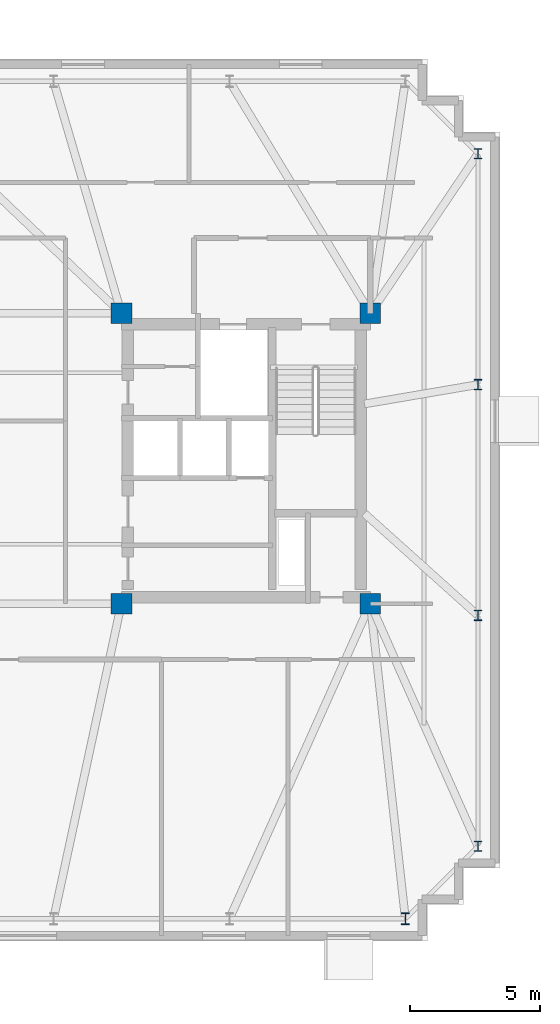
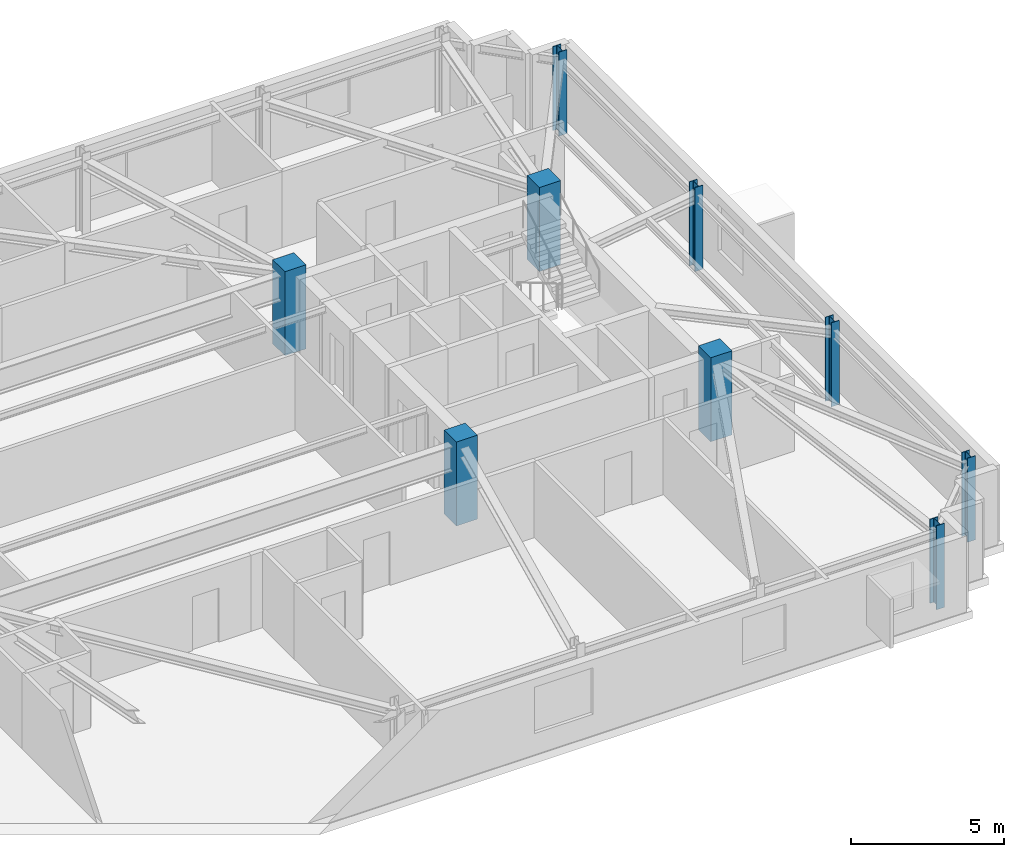
# One storey, part 2 of 11: 9 columns.
"""IFC4 building model written with IfcOpenShell, lengths in metres."""

from ifc_helpers import new_model, si_unit, direction, frame, origin, origin_2d, place, context, subcontext, project, spatial, rectangle, i_section, extrude, material, material_profile, profile_set, type_object, element, save


model = new_model("IFC4")

# Units and contexts
model_context = context("Model", 3, precision=1e-05, world=origin(), true_north=direction((0.0, 1.0)))
body_context = subcontext(model_context, "Body", "Model", "MODEL_VIEW")
ifc_project = project(units=[si_unit("LENGTHUNIT", "METRE"), si_unit("AREAUNIT", "SQUARE_METRE"), si_unit("VOLUMEUNIT", "CUBIC_METRE"), si_unit("PLANEANGLEUNIT", "RADIAN"), si_unit("MASSUNIT", "GRAM", prefix="KILO")], contexts=[model_context])

# Site, building, storey
site_placement = place(None, origin())
site = spatial("IfcSite", under=ifc_project, at=site_placement, CompositionType="ELEMENT")
building_placement = place(site_placement, origin())
building = spatial("IfcBuilding", under=site, at=building_placement, Name="Qobustan Lattice House", CompositionType="ELEMENT")
storey_placement = place(building_placement, frame((0.0, 0.0, 258.449951171875)))
storey = spatial("IfcBuildingStorey", under=building, at=storey_placement, Name="L73", CompositionType="ELEMENT", Elevation=258.449951171875)

# Columns
ifc_material_1 = material(Name="Concrete C50/60", Category="concrete")
ifc_material_profile_1 = material_profile(ifc_material_1, rectangle(XDim=0.800048828125, YDim=0.800048828125, at=origin_2d()), Name="RC800x800")
ifc_profile_set_1 = profile_set([ifc_material_profile_1], Name="Concrete C50/60")
column_type_1 = type_object("IfcColumnType", Name="COL-RC-800", PredefinedType="COLUMN", material=ifc_profile_set_1)
for number, where, z_axis, x_axis, name in (
    (1, (9.199951171875, -5.60009765625, 0.0), (0.0, 0.0, 1.0), (1.0, 0.0, 0.0), "L73 core mega-column CE-SW"),
    (2, (9.199951171875, 5.60009765625, 0.0), (0.0, 0.0, 1.0), (1.0, 0.0, 0.0), "L73 core mega-column CE-NW"),
    (3, (18.800048828125, -5.60009765625, 0.0), (0.0, 0.0, 1.0), (1.0, 0.0, 0.0), "L73 core mega-column CE-SE"),
    (4, (18.800048828125, 5.60009765625, 0.0), (0.0, 0.0, 1.0), (1.0, 0.0, 0.0), "L73 core mega-column CE-NE"),
):
    element("IfcColumn", number, at=place(storey_placement, frame(where, z_axis=z_axis, x_axis=x_axis)), inside=storey, type_object=column_type_1, Name=name, PredefinedType="COLUMN", context=body_context, shape_type="SweptSolid", body=[
        extrude(rectangle(XDim=0.800048828125, YDim=0.800048828125, at=origin_2d()), origin(), (0.0, 0.0, 1.0), 3.35009765625),
    ])
ifc_material_2 = material(Name="Steel S355", Category="steel")
ifc_material_profile_2 = material_profile(ifc_material_2, i_section(OverallWidth=0.300048828125, OverallDepth=0.39990234375, WebThickness=0.013427734375, FlangeThickness=0.02392578125, FilletRadius=0.027099609375, at=origin_2d()), Name="HEB400")
ifc_profile_set_2 = profile_set([ifc_material_profile_2], Name="Steel S355")
column_type_2 = type_object("IfcColumnType", Name="COL-ST-HEB400", PredefinedType="COLUMN", material=ifc_profile_set_2)
for number, where, z_axis, x_axis, name in (
    (5, (22.949951171875, -14.949951171875, 0.0), (0.0, 0.0, 1.0), (1.0, 0.0, 0.0), "L73 B5 perimeter column E1"),
    (6, (22.949951171875, -6.050048828125, 0.0), (0.0, 0.0, 1.0), (1.0, 0.0, 0.0), "L73 B5 perimeter column E2"),
    (7, (22.949951171875, 2.85009765625, 0.0), (0.0, 0.0, 1.0), (1.0, 0.0, 0.0), "L73 B5 perimeter column E3"),
    (8, (22.949951171875, 11.75, 0.0), (0.0, 0.0, 1.0), (1.0, 0.0, 0.0), "L73 B5 perimeter column E4"),
):
    element("IfcColumn", number, at=place(storey_placement, frame(where, z_axis=z_axis, x_axis=x_axis)), inside=storey, type_object=column_type_2, Name=name, PredefinedType="COLUMN", context=body_context, shape_type="SweptSolid", body=[
        extrude(i_section(OverallWidth=0.300048828125, OverallDepth=0.39990234375, WebThickness=0.013427734375, FlangeThickness=0.02392578125, FilletRadius=0.027099609375, at=origin_2d()), origin(), (0.0, 0.0, 1.0), 3.35009765625),
    ])
ifc_material_3 = material(Name="Steel S355", Category="steel")
ifc_material_profile_3 = material_profile(ifc_material_3, i_section(OverallWidth=0.300048828125, OverallDepth=0.449951171875, WebThickness=0.013916015625, FlangeThickness=0.02587890625, FilletRadius=0.027099609375, at=origin_2d()), Name="HEB450")
ifc_profile_set_3 = profile_set([ifc_material_profile_3], Name="Steel S355")
column_type_3 = type_object("IfcColumnType", Name="COL-ST-HEB450", PredefinedType="COLUMN", material=ifc_profile_set_3)
column_placement = place(storey_placement, frame((20.14990234375, -17.75, 0.0), z_axis=(0.0, 0.0, 1.0), x_axis=(1.0, 0.0, 0.0)))
element("IfcColumn", 9, at=column_placement, inside=storey, type_object=column_type_3, Name="L73 B5 perimeter column S7", PredefinedType="COLUMN", context=body_context, shape_type="SweptSolid", body=[
    extrude(i_section(OverallWidth=0.300048828125, OverallDepth=0.449951171875, WebThickness=0.013916015625, FlangeThickness=0.02587890625, FilletRadius=0.027099609375, at=origin_2d()), origin(), (0.0, 0.0, 1.0), 3.35009765625),
])

save(model, "model.ifc")
